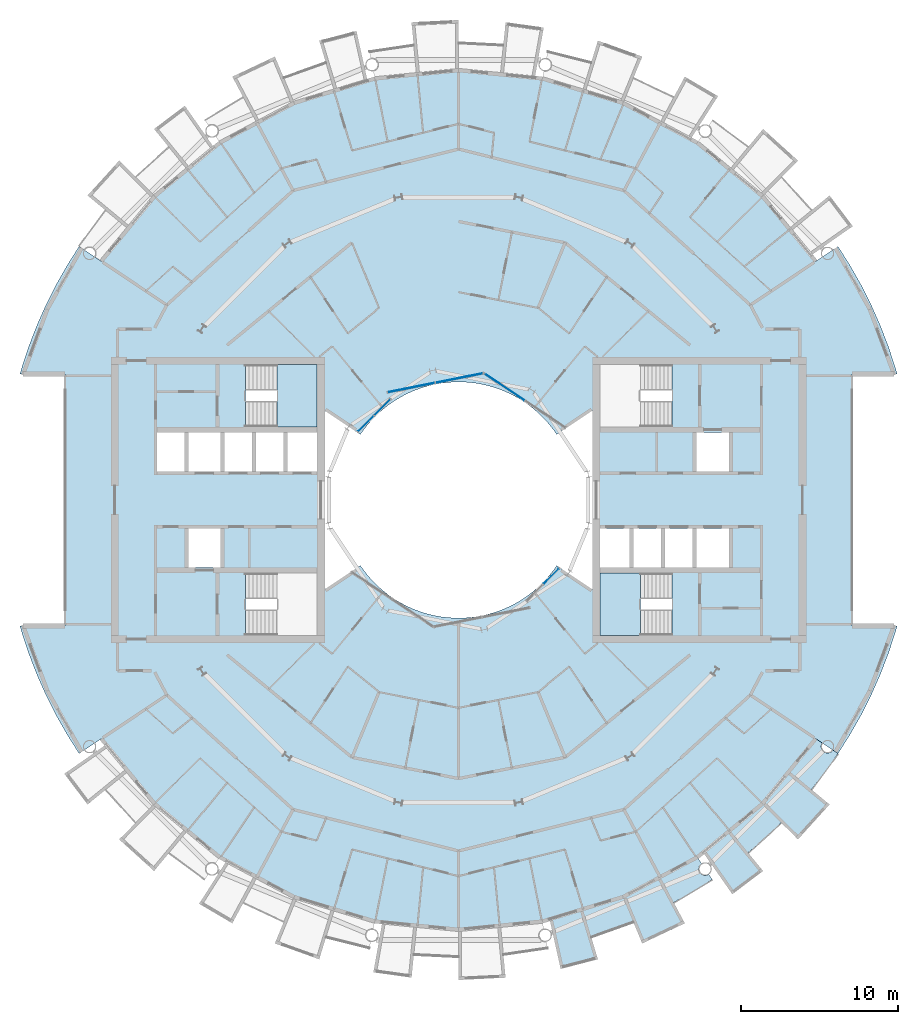
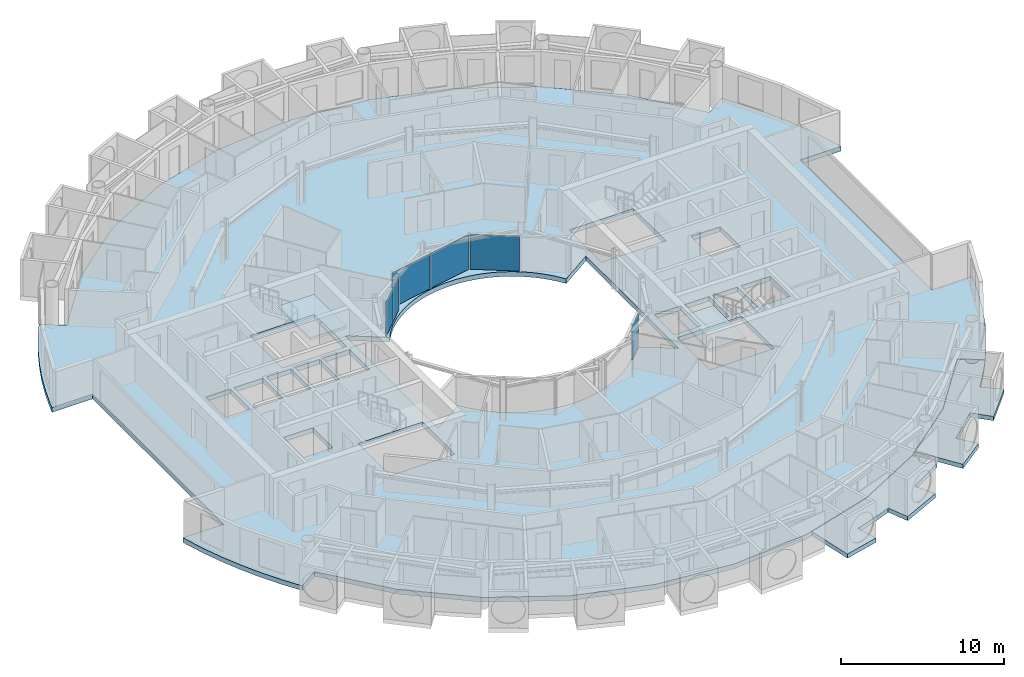
# One storey, part 11 of 27: 6 plates, 5 slabs, 6 elements without a shape of their own.
"""IFC4 building model written with IfcOpenShell, lengths in metres."""

from ifc_helpers import new_model, si_unit, direction, frame, origin, origin_2d, place, context, subcontext, project, spatial, polyline, rectangle, outline, extrude, material, layer, layer_set, type_object, element, aggregate, save


model = new_model("IFC4")

# Units and contexts
model_context = context("Model", 3, precision=1e-05, world=origin(), true_north=direction((0.0, 1.0)))
body_context = subcontext(model_context, "Body", "Model", "MODEL_VIEW")
ifc_project = project(units=[si_unit("LENGTHUNIT", "METRE"), si_unit("AREAUNIT", "SQUARE_METRE"), si_unit("VOLUMEUNIT", "CUBIC_METRE"), si_unit("PLANEANGLEUNIT", "RADIAN"), si_unit("MASSUNIT", "GRAM", prefix="KILO")], contexts=[model_context])

# Site, building, storey
site_placement = place(None, origin())
site = spatial("IfcSite", under=ifc_project, at=site_placement, CompositionType="ELEMENT")
building_placement = place(site_placement, origin())
building = spatial("IfcBuilding", under=site, at=building_placement, Name="Maasbend Ring Residences", CompositionType="ELEMENT")
storey_placement = place(building_placement, frame((0.0, 0.0, 164.64990234375)))
storey = spatial("IfcBuildingStorey", under=building, at=storey_placement, Name="L47", CompositionType="ELEMENT", Elevation=164.64990234375)

# Stair, slab
ifc_material_1 = material(Name="Concrete C40/50", Category="concrete")
stair_type = type_object("IfcStairType", Name="CORE STAIR 18 RISERS", PredefinedType="HALF_TURN_STAIR", material=ifc_material_1)
stair_1_placement = place(storey_placement, origin())
stair_1 = element("IfcStair", 1, at=stair_1_placement, inside=storey, type_object=stair_type, Name="L47 Exit stair ST-E2", PredefinedType="HALF_TURN_STAIR")
ifc_material_2 = material(Name="Concrete C40/50", Category="concrete")
ifc_layer_1 = layer(ifc_material_2, 0.199951171875)
ifc_layer_set_1 = layer_set([ifc_layer_1], Name="Concrete C40/50")
slab_type_1 = type_object("IfcSlabType", Name="CORE STAIR LANDING 200", PredefinedType="LANDING", material=ifc_layer_set_1)
slab_1_placement = place(storey_placement, frame((0.0, 0.0, 1.3251953125)))
slab_1 = element("IfcSlab", 2, at=slab_1_placement, type_object=slab_type_1, Name="ST-E2 landing 1", PredefinedType="LANDING", context=body_context, shape_type="SweptSolid", body=[
    extrude(outline(polyline([(11.550048828125, -4.64990234375), (9.0, -4.64990234375), (9.0, -8.60009765625), (11.550048828125, -8.60009765625), (11.550048828125, -4.64990234375)])), origin(), (0.0, 0.0, 1.0), 0.199951171875),
])
aggregate(stair_1, [slab_1])

stair_2_placement = place(storey_placement, origin())
stair_2 = element("IfcStair", 3, at=stair_2_placement, inside=storey, type_object=stair_type, Name="L47 Exit stair ST-W2", PredefinedType="HALF_TURN_STAIR")
slab_2_placement = place(storey_placement, frame((0.0, 0.0, 1.3251953125)))
slab_2 = element("IfcSlab", 4, at=slab_2_placement, type_object=slab_type_1, Name="ST-W2 landing 1", PredefinedType="LANDING", context=body_context, shape_type="SweptSolid", body=[
    extrude(outline(polyline([(-11.550048828125, 4.64990234375), (-9.0, 4.64990234375), (-9.0, 8.60009765625), (-11.550048828125, 8.60009765625), (-11.550048828125, 4.64990234375)])), origin(), (0.0, 0.0, 1.0), 0.199951171875),
])
aggregate(stair_2, [slab_2])

# Curtain wall, plate
ifc_material_3 = material(Name="Aluminium and clear glass", Category="aluminium")
ifc_layer_2 = layer(ifc_material_3, 0.179931640625)
ifc_layer_set_2 = layer_set([ifc_layer_2], Name="CW-W")
curtain_wall_type = type_object("IfcCurtainWallType", Name="CW-W", PredefinedType="NOTDEFINED", material=ifc_layer_set_2)
curtain_wall_1_placement = place(storey_placement, origin())
curtain_wall_1 = element("IfcCurtainWall", 5, at=curtain_wall_1_placement, inside=storey, type_object=curtain_wall_type, Name="Well curtain wall N1", PredefinedType="NOTDEFINED")
ifc_material_4 = material(Name="Glass clear laminated", Category="glass")
ifc_layer_3 = layer(ifc_material_4, 0.031982421875)
ifc_layer_set_3 = layer_set([ifc_layer_3], Name="CWP-W")
plate_type = type_object("IfcPlateType", Name="CWP-W", PredefinedType="CURTAIN_PANEL", material=ifc_layer_set_3)
plate_1_placement = place(storey_placement, frame((2.922119140625, 7.17578125, 0.0), z_axis=(0.0, 0.0, 1.0), x_axis=(-0.831469612303, 0.55557023302, 0.0)))
plate_1 = element("IfcPlate", 6, at=plate_1_placement, type_object=plate_type, Name="Glass panel well face", PredefinedType="CURTAIN_PANEL", context=body_context, shape_type="SweptSolid", body=[
    extrude(rectangle(XDim=3.053955078125, YDim=0.031982421875, at=origin_2d()), origin(), (0.0, 0.0, 1.0), 2.580078125),
])
aggregate(curtain_wall_1, [plate_1])

# Curtain wall, plates
curtain_wall_2_placement = place(storey_placement, origin())
curtain_wall_2 = element("IfcCurtainWall", 7, at=curtain_wall_2_placement, inside=storey, type_object=curtain_wall_type, Name="Well curtain wall N2", PredefinedType="NOTDEFINED")
plate_2_placement = place(storey_placement, frame((0.04638671875, 7.747802734375, 0.0), z_axis=(0.0, 0.0, 1.0), x_axis=(-0.980785280403, -0.195090322016, 0.0)))
plate_2 = element("IfcPlate", 8, at=plate_2_placement, type_object=plate_type, Name="Glass panel well face", PredefinedType="CURTAIN_PANEL", context=body_context, shape_type="SweptSolid", body=[
    extrude(rectangle(XDim=3.053955078125, YDim=0.031982421875, at=origin_2d()), origin(), (0.0, 0.0, 1.0), 2.580078125),
])
plate_3_placement = place(storey_placement, frame((-3.0078125, 7.140380859375, 0.0), z_axis=(0.0, 0.0, 1.0), x_axis=(-0.980785280403, -0.195090322016, 0.0)))
plate_3 = element("IfcPlate", 9, at=plate_3_placement, type_object=plate_type, Name="Glass panel well face", PredefinedType="CURTAIN_PANEL", context=body_context, shape_type="SweptSolid", body=[
    extrude(rectangle(XDim=3.053955078125, YDim=0.031982421875, at=origin_2d()), origin(), (0.0, 0.0, 1.0), 2.580078125),
])
aggregate(curtain_wall_2, [plate_2, plate_3])

curtain_wall_3_placement = place(storey_placement, origin())
curtain_wall_3 = element("IfcCurtainWall", 10, at=curtain_wall_3_placement, inside=storey, type_object=curtain_wall_type, Name="Well curtain wall N3", PredefinedType="NOTDEFINED")
plate_4_placement = place(storey_placement, frame((-4.84375, 5.89013671875, 0.0), z_axis=(0.0, 0.0, 1.0), x_axis=(-0.707106781187, -0.707106781187, 0.0)))
plate_4 = element("IfcPlate", 11, at=plate_4_placement, type_object=plate_type, Name="Glass panel well face", PredefinedType="CURTAIN_PANEL", context=body_context, shape_type="SweptSolid", body=[
    extrude(rectangle(XDim=1.419677734375, YDim=0.031982421875, at=origin_2d()), origin(), (0.0, 0.0, 1.0), 2.580078125),
])
plate_5_placement = place(storey_placement, frame((-5.89013671875, 4.84375, 0.0), z_axis=(0.0, 0.0, 1.0), x_axis=(-0.707106781187, -0.707106781187, 0.0)))
plate_5 = element("IfcPlate", 12, at=plate_5_placement, type_object=plate_type, Name="Glass panel well face", PredefinedType="CURTAIN_PANEL", context=body_context, shape_type="SweptSolid", body=[
    extrude(rectangle(XDim=1.419677734375, YDim=0.031982421875, at=origin_2d()), origin(), (0.0, 0.0, 1.0), 2.580078125),
])
aggregate(curtain_wall_3, [plate_4, plate_5])

# Curtain wall, plate
curtain_wall_4_placement = place(storey_placement, origin())
curtain_wall_4 = element("IfcCurtainWall", 13, at=curtain_wall_4_placement, inside=storey, type_object=curtain_wall_type, Name="Well curtain wall S3", PredefinedType="NOTDEFINED")
plate_6_placement = place(storey_placement, frame((5.89013671875, -4.84375, 0.0), z_axis=(0.0, 0.0, 1.0), x_axis=(0.707106781187, 0.707106781187, 0.0)))
plate_6 = element("IfcPlate", 14, at=plate_6_placement, type_object=plate_type, Name="Glass panel well face", PredefinedType="CURTAIN_PANEL", context=body_context, shape_type="SweptSolid", body=[
    extrude(rectangle(XDim=1.419677734375, YDim=0.031982421875, at=origin_2d()), origin(), (0.0, 0.0, 1.0), 2.580078125),
])
aggregate(curtain_wall_4, [plate_6])

# Slabs
ifc_material_5 = material(Name="Concrete C40/50", Category="concrete")
ifc_layer_4 = layer(ifc_material_5, 0.35009765625)
ifc_layer_set_4 = layer_set([ifc_layer_4], Name="Concrete C40/50")
slab_type_2 = type_object("IfcSlabType", Name="Post-tensioned flat plate 350", PredefinedType="FLOOR", material=ifc_layer_set_4)
slab_3_placement = place(storey_placement, frame((0.0, 0.0, -0.349853515625)))
element("IfcSlab", 15, at=slab_3_placement, inside=storey, type_object=slab_type_2, Name="Floor slab L47", PredefinedType="FLOOR", context=body_context, shape_type="SweptSolid", body=[
    extrude(outline(polyline([(24.8740234375, -14.908935546875), (25.57568359375, -13.67041015625), (26.2158203125, -12.399169921875), (26.79248046875, -11.097900390625), (27.3046875, -9.769775390625), (27.751220703125, -8.418212890625), (27.866943359375, -8.0), (25.0, -8.0), (25.0, 8.0), (27.866943359375, 8.0), (27.751220703125, 8.418212890625), (27.3046875, 9.769775390625), (26.79248046875, 11.097900390625), (26.2158203125, 12.399169921875), (25.57568359375, 13.67041015625), (24.8740234375, 14.908935546875), (24.112548828125, 16.111572265625), (22.69921875, 15.1669921875), (19.303955078125, 19.303955078125), (15.1669921875, 22.69921875), (10.447265625, 25.221923828125), (5.325927734375, 26.775390625), (0.0, 27.300048828125), (-5.325927734375, 26.775390625), (-10.447265625, 25.221923828125), (-15.1669921875, 22.69921875), (-19.303955078125, 19.303955078125), (-22.69921875, 15.1669921875), (-24.112548828125, 16.111572265625), (-24.8740234375, 14.908935546875), (-25.57568359375, 13.67041015625), (-26.2158203125, 12.399169921875), (-26.79248046875, 11.097900390625), (-27.3046875, 9.769775390625), (-27.751220703125, 8.418212890625), (-27.866943359375, 8.0), (-25.0, 8.0), (-25.0, -8.0), (-27.866943359375, -8.0), (-27.751220703125, -8.418212890625), (-27.3046875, -9.769775390625), (-26.79248046875, -11.097900390625), (-26.2158203125, -12.399169921875), (-25.57568359375, -13.67041015625), (-24.8740234375, -14.908935546875), (-24.112548828125, -16.111572265625), (-22.69921875, -15.1669921875), (-19.303955078125, -19.303955078125), (-15.1669921875, -22.69921875), (-10.447265625, -25.221923828125), (-5.325927734375, -26.775390625), (0.0, -27.300048828125), (5.325927734375, -26.775390625), (10.447265625, -25.221923828125), (15.1669921875, -22.69921875), (19.303955078125, -19.303955078125), (22.69921875, -15.1669921875), (24.112548828125, -16.111572265625), (24.8740234375, -14.908935546875)]), holes=[polyline([(15.125, 1.824951171875), (15.125, 4.27490234375), (17.175048828125, 4.27490234375), (17.175048828125, 1.824951171875), (15.125, 1.824951171875)]), polyline([(15.125, -4.27490234375), (15.125, -1.824951171875), (17.175048828125, -1.824951171875), (17.175048828125, -4.27490234375), (15.125, -4.27490234375)]), polyline([(13.125, -4.27490234375), (13.125, -1.824951171875), (14.875, -1.824951171875), (14.875, -4.27490234375), (13.125, -4.27490234375)]), polyline([(13.550048828125, 8.60009765625), (13.550048828125, 4.64990234375), (9.0, 4.64990234375), (9.0, 8.60009765625), (13.550048828125, 8.60009765625)]), polyline([(13.550048828125, -4.64990234375), (13.550048828125, -8.60009765625), (9.0, -8.60009765625), (9.0, -4.64990234375), (13.550048828125, -4.64990234375)]), polyline([(11.125, -4.27490234375), (11.125, -1.824951171875), (12.875, -1.824951171875), (12.875, -4.27490234375), (11.125, -4.27490234375)]), polyline([(9.0, -4.27490234375), (9.0, -1.824951171875), (10.875, -1.824951171875), (10.875, -4.27490234375), (9.0, -4.27490234375)]), polyline([(6.024169921875, 4.4677734375), (6.236083984375, 4.166748046875), (8.5, 5.679443359375), (8.5, -5.679443359375), (6.236083984375, -4.166748046875), (6.024169921875, -4.4677734375), (5.797607421875, -4.7578125), (5.55712890625, -5.03662109375), (5.30322265625, -5.30322265625), (5.03662109375, -5.55712890625), (4.7578125, -5.797607421875), (4.4677734375, -6.024169921875), (4.166748046875, -6.236083984375), (3.855712890625, -6.43310546875), (3.535400390625, -6.614501953125), (3.206787109375, -6.77978515625), (2.8701171875, -6.92919921875), (2.526611328125, -7.0615234375), (2.177001953125, -7.177001953125), (1.822509765625, -7.275146484375), (1.463134765625, -7.35595703125), (1.1005859375, -7.418701171875), (0.735107421875, -7.4638671875), (0.367919921875, -7.490966796875), (0.0, -7.5), (-0.367919921875, -7.490966796875), (-0.735107421875, -7.4638671875), (-1.1005859375, -7.418701171875), (-1.463134765625, -7.35595703125), (-1.822509765625, -7.275146484375), (-2.177001953125, -7.177001953125), (-2.526611328125, -7.0615234375), (-2.8701171875, -6.92919921875), (-3.206787109375, -6.77978515625), (-3.535400390625, -6.614501953125), (-3.855712890625, -6.43310546875), (-4.166748046875, -6.236083984375), (-4.4677734375, -6.024169921875), (-4.7578125, -5.797607421875), (-5.03662109375, -5.55712890625), (-5.30322265625, -5.30322265625), (-5.55712890625, -5.03662109375), (-5.797607421875, -4.7578125), (-6.024169921875, -4.4677734375), (-6.236083984375, -4.166748046875), (-8.5, -5.679443359375), (-8.5, 5.679443359375), (-6.236083984375, 4.166748046875), (-6.024169921875, 4.4677734375), (-5.797607421875, 4.7578125), (-5.55712890625, 5.03662109375), (-5.30322265625, 5.30322265625), (-5.03662109375, 5.55712890625), (-4.7578125, 5.797607421875), (-4.4677734375, 6.024169921875), (-4.166748046875, 6.236083984375), (-3.855712890625, 6.43310546875), (-3.535400390625, 6.614501953125), (-3.206787109375, 6.77978515625), (-2.8701171875, 6.92919921875), (-2.526611328125, 7.0615234375), (-2.177001953125, 7.177001953125), (-1.822509765625, 7.275146484375), (-1.463134765625, 7.35595703125), (-1.1005859375, 7.418701171875), (-0.735107421875, 7.4638671875), (-0.367919921875, 7.490966796875), (0.0, 7.5), (0.367919921875, 7.490966796875), (0.735107421875, 7.4638671875), (1.1005859375, 7.418701171875), (1.463134765625, 7.35595703125), (1.822509765625, 7.275146484375), (2.177001953125, 7.177001953125), (2.526611328125, 7.0615234375), (2.8701171875, 6.92919921875), (3.206787109375, 6.77978515625), (3.535400390625, 6.614501953125), (3.855712890625, 6.43310546875), (4.166748046875, 6.236083984375), (4.4677734375, 6.024169921875), (4.7578125, 5.797607421875), (5.03662109375, 5.55712890625), (5.30322265625, 5.30322265625), (5.55712890625, 5.03662109375), (5.797607421875, 4.7578125), (6.024169921875, 4.4677734375)]), polyline([(-13.550048828125, 4.64990234375), (-13.550048828125, 8.60009765625), (-9.0, 8.60009765625), (-9.0, 4.64990234375), (-13.550048828125, 4.64990234375)]), polyline([(-9.0, -8.60009765625), (-13.550048828125, -8.60009765625), (-13.550048828125, -4.64990234375), (-9.0, -4.64990234375), (-9.0, -8.60009765625)]), polyline([(-9.0, 4.27490234375), (-9.0, 1.824951171875), (-10.875, 1.824951171875), (-10.875, 4.27490234375), (-9.0, 4.27490234375)]), polyline([(-11.125, 4.27490234375), (-11.125, 1.824951171875), (-12.875, 1.824951171875), (-12.875, 4.27490234375), (-11.125, 4.27490234375)]), polyline([(-13.125, 4.27490234375), (-13.125, 1.824951171875), (-14.875, 1.824951171875), (-14.875, 4.27490234375), (-13.125, 4.27490234375)]), polyline([(-15.125, 4.27490234375), (-15.125, 1.824951171875), (-17.175048828125, 1.824951171875), (-17.175048828125, 4.27490234375), (-15.125, 4.27490234375)]), polyline([(-15.125, -1.824951171875), (-15.125, -4.27490234375), (-17.175048828125, -4.27490234375), (-17.175048828125, -1.824951171875), (-15.125, -1.824951171875)]), polyline([(-17.425048828125, 4.27490234375), (-17.425048828125, 1.824951171875), (-19.14990234375, 1.824951171875), (-19.14990234375, 4.27490234375), (-17.425048828125, 4.27490234375)])]), origin(), (0.0, 0.0, 1.0), 0.349853515625),
])
ifc_material_6 = material(Name="Concrete C40/50", Category="concrete")
ifc_layer_5 = layer(ifc_material_6, 0.199951171875)
ifc_layer_set_5 = layer_set([ifc_layer_5], Name="Concrete C40/50")
slab_type_3 = type_object("IfcSlabType", Name="SL-LOGGIA", PredefinedType="FLOOR", material=ifc_layer_set_5)
slab_4_placement = place(storey_placement, frame((0.0, 0.0, -0.349853515625)))
element("IfcSlab", 16, at=slab_4_placement, inside=storey, type_object=slab_type_3, Name="Loggia floor 1", PredefinedType="FLOOR", context=body_context, shape_type="SweptSolid", body=[
    extrude(outline(polyline([(10.447021484375, -25.221923828125), (12.806884765625, -23.9609375), (15.1669921875, -22.698974609375), (15.1669921875, -22.698974609375), (15.1669921875, -22.698974609375), (15.44091796875, -23.10888671875), (15.43310546875, -23.114990234375), (15.425048828125, -23.12109375), (15.4169921875, -23.126953125), (15.408935546875, -23.133056640625), (15.402099609375, -23.139892578125), (15.39404296875, -23.14599609375), (15.386962890625, -23.153076171875), (15.3798828125, -23.159912109375), (15.373046875, -23.1669921875), (15.365966796875, -23.174072265625), (15.35888671875, -23.181884765625), (15.35302734375, -23.18994140625), (15.346923828125, -23.197021484375), (15.341064453125, -23.205078125), (15.3349609375, -23.212890625), (15.3291015625, -23.221923828125), (15.323974609375, -23.22998046875), (15.318115234375, -23.238037109375), (15.31298828125, -23.2470703125), (15.30908203125, -23.256103515625), (15.303955078125, -23.264892578125), (15.300048828125, -23.27392578125), (15.294921875, -23.282958984375), (15.2919921875, -23.2919921875), (15.2880859375, -23.301025390625), (15.283935546875, -23.31005859375), (15.281005859375, -23.320068359375), (15.278076171875, -23.3291015625), (15.27490234375, -23.339111328125), (15.27294921875, -23.34912109375), (15.27001953125, -23.35791015625), (15.26806640625, -23.367919921875), (15.26708984375, -23.3779296875), (15.264892578125, -23.387939453125), (15.263916015625, -23.39794921875), (15.262939453125, -23.407958984375), (15.261962890625, -23.4169921875), (15.260986328125, -23.427001953125), (15.260986328125, -23.43701171875), (15.260986328125, -23.447021484375), (15.260986328125, -23.45703125), (15.260986328125, -23.467041015625), (15.261962890625, -23.47705078125), (15.262939453125, -23.487060546875), (15.263916015625, -23.4970703125), (15.264892578125, -23.507080078125), (15.26708984375, -23.51708984375), (15.26806640625, -23.527099609375), (15.27001953125, -23.535888671875), (15.27294921875, -23.5458984375), (15.27490234375, -23.555908203125), (15.278076171875, -23.56494140625), (15.281005859375, -23.574951171875), (15.283935546875, -23.583984375), (15.2880859375, -23.593994140625), (15.2919921875, -23.60302734375), (15.294921875, -23.612060546875), (15.300048828125, -23.62109375), (15.303955078125, -23.6298828125), (15.30908203125, -23.638916015625), (15.31298828125, -23.64794921875), (15.318115234375, -23.656005859375), (15.323974609375, -23.6650390625), (15.3291015625, -23.673095703125), (15.3349609375, -23.680908203125), (15.341064453125, -23.68994140625), (15.346923828125, -23.697021484375), (15.35302734375, -23.705078125), (15.35888671875, -23.712890625), (15.365966796875, -23.719970703125), (15.373046875, -23.72802734375), (15.3798828125, -23.735107421875), (15.386962890625, -23.741943359375), (15.39404296875, -23.7490234375), (15.402099609375, -23.7548828125), (15.408935546875, -23.761962890625), (15.4169921875, -23.76806640625), (15.425048828125, -23.77392578125), (15.43310546875, -23.780029296875), (15.44091796875, -23.784912109375), (15.449951171875, -23.791015625), (15.4580078125, -23.7958984375), (15.467041015625, -23.801025390625), (15.47509765625, -23.805908203125), (15.48388671875, -23.81005859375), (15.492919921875, -23.81494140625), (15.501953125, -23.819091796875), (15.511962890625, -23.822998046875), (15.52099609375, -23.826904296875), (15.530029296875, -23.830078125), (15.5400390625, -23.8330078125), (15.549072265625, -23.8359375), (15.55908203125, -23.839111328125), (15.568115234375, -23.842041015625), (15.577880859375, -23.843994140625), (15.587890625, -23.845947265625), (15.597900390625, -23.847900390625), (15.60693359375, -23.85009765625), (15.616943359375, -23.85107421875), (15.626953125, -23.85205078125), (15.636962890625, -23.85302734375), (15.64697265625, -23.85302734375), (15.656982421875, -23.85400390625), (15.6669921875, -23.85400390625), (15.677001953125, -23.85400390625), (15.68701171875, -23.85302734375), (15.697021484375, -23.85302734375), (15.70703125, -23.85205078125), (15.717041015625, -23.85107421875), (15.72705078125, -23.85009765625), (15.737060546875, -23.847900390625), (15.74609375, -23.845947265625), (15.756103515625, -23.843994140625), (15.76611328125, -23.842041015625), (15.77587890625, -23.839111328125), (15.784912109375, -23.8359375), (15.794921875, -23.8330078125), (15.803955078125, -23.830078125), (15.81298828125, -23.826904296875), (15.822998046875, -23.822998046875), (15.83203125, -23.819091796875), (15.841064453125, -23.81494140625), (15.85009765625, -23.81005859375), (15.85888671875, -23.805908203125), (15.866943359375, -23.801025390625), (15.8759765625, -23.7958984375), (15.885009765625, -23.791015625), (15.89306640625, -23.784912109375), (16.112060546875, -24.113037109375), (16.112060546875, -24.113037109375), (16.112060546875, -24.113037109375), (15.31396484375, -24.626953125), (15.31396484375, -24.626953125), (14.5, -25.114990234375), (14.5, -25.114990234375), (13.6708984375, -25.574951171875), (13.6708984375, -25.575927734375), (13.6708984375, -25.575927734375), (13.6708984375, -25.575927734375), (13.6708984375, -25.575927734375), (13.6708984375, -25.575927734375), (13.6708984375, -25.575927734375), (13.6708984375, -25.575927734375), (13.6708984375, -25.575927734375), (13.6708984375, -25.575927734375), (13.6708984375, -25.575927734375), (13.6708984375, -25.575927734375), (13.6708984375, -25.575927734375), (13.6708984375, -25.575927734375), (13.6708984375, -25.575927734375), (13.6708984375, -25.575927734375), (13.6708984375, -25.575927734375), (14.3779296875, -26.89892578125), (14.3779296875, -26.89892578125), (14.3779296875, -26.89892578125), (11.672119140625, -28.177978515625), (11.672119140625, -28.177978515625), (11.672119140625, -28.177978515625), (11.097900390625, -26.79296875), (11.097900390625, -26.79296875), (11.097900390625, -26.79296875), (11.097900390625, -26.79296875), (11.097900390625, -26.79296875), (11.097900390625, -26.79296875), (11.097900390625, -26.79296875), (11.097900390625, -26.79296875), (11.097900390625, -26.79296875), (11.097900390625, -26.79296875), (11.097900390625, -26.79296875), (11.097900390625, -26.79296875), (11.097900390625, -26.79296875), (11.097900390625, -26.79296875), (11.096923828125, -26.79296875), (11.096923828125, -26.79296875), (11.096923828125, -26.79296875), (10.215087890625, -27.14111328125), (10.215087890625, -27.14111328125), (9.322021484375, -27.4609375), (9.322021484375, -27.4609375), (8.4189453125, -27.7509765625), (8.4189453125, -27.7509765625), (8.4189453125, -27.7509765625), (8.4189453125, -27.7509765625), (8.4189453125, -27.7509765625), (8.4189453125, -27.7509765625), (8.41796875, -27.7509765625), (8.41796875, -27.7509765625), (8.41796875, -27.7509765625), (8.41796875, -27.7509765625), (8.41796875, -27.7509765625), (8.41796875, -27.751953125), (8.41796875, -27.751953125), (8.41796875, -27.751953125), (8.41796875, -27.751953125), (8.41796875, -27.751953125), (8.41796875, -27.751953125), (8.85400390625, -29.18701171875), (8.85400390625, -29.18701171875), (8.85400390625, -29.18701171875), (6.487060546875, -29.802001953125), (6.487060546875, -29.802001953125), (6.487060546875, -29.802001953125), (5.797119140625, -26.633056640625), (5.797119140625, -26.633056640625), (5.797119140625, -26.633056640625), (7.886962890625, -25.9990234375), (10.447021484375, -25.221923828125), (10.447021484375, -25.221923828125), (10.447021484375, -25.221923828125)])), origin(), (0.0, 0.0, 1.0), 0.320068359375),
])
slab_5_placement = place(storey_placement, frame((0.0, 0.0, -0.349853515625)))
element("IfcSlab", 17, at=slab_5_placement, inside=storey, type_object=slab_type_3, Name="Loggia floor 4", PredefinedType="FLOOR", context=body_context, shape_type="SweptSolid", body=[
    extrude(outline(polyline([(19.303955078125, -19.303955078125), (21.001953125, -17.236083984375), (22.698974609375, -15.1669921875), (22.698974609375, -15.1669921875), (22.698974609375, -15.1669921875), (23.10888671875, -15.44091796875), (23.10888671875, -15.44091796875), (23.10400390625, -15.449951171875), (23.09912109375, -15.4580078125), (23.093994140625, -15.467041015625), (23.089111328125, -15.47509765625), (23.083984375, -15.48388671875), (23.080078125, -15.492919921875), (23.075927734375, -15.501953125), (23.072021484375, -15.511962890625), (23.068115234375, -15.52099609375), (23.06494140625, -15.530029296875), (23.06103515625, -15.5400390625), (23.05810546875, -15.549072265625), (23.055908203125, -15.55908203125), (23.052978515625, -15.568115234375), (23.051025390625, -15.577880859375), (23.049072265625, -15.587890625), (23.047119140625, -15.597900390625), (23.044921875, -15.60693359375), (23.0439453125, -15.616943359375), (23.04296875, -15.626953125), (23.0419921875, -15.636962890625), (23.041015625, -15.64697265625), (23.041015625, -15.656982421875), (23.041015625, -15.6669921875), (23.041015625, -15.677001953125), (23.041015625, -15.68701171875), (23.0419921875, -15.697021484375), (23.04296875, -15.70703125), (23.0439453125, -15.717041015625), (23.044921875, -15.72705078125), (23.047119140625, -15.737060546875), (23.049072265625, -15.74609375), (23.051025390625, -15.756103515625), (23.052978515625, -15.76611328125), (23.055908203125, -15.77587890625), (23.05810546875, -15.784912109375), (23.06103515625, -15.794921875), (23.06494140625, -15.803955078125), (23.068115234375, -15.81298828125), (23.072021484375, -15.822998046875), (23.075927734375, -15.83203125), (23.080078125, -15.841064453125), (23.083984375, -15.85009765625), (23.089111328125, -15.85888671875), (23.093994140625, -15.866943359375), (23.09912109375, -15.8759765625), (23.10400390625, -15.885009765625), (23.10888671875, -15.89306640625), (23.114990234375, -15.90087890625), (23.12109375, -15.908935546875), (23.126953125, -15.9169921875), (23.133056640625, -15.925048828125), (23.139892578125, -15.93310546875), (23.14599609375, -15.93994140625), (23.153076171875, -15.947021484375), (23.159912109375, -15.955078125), (23.1669921875, -15.9619140625), (23.174072265625, -15.968017578125), (23.181884765625, -15.97509765625), (23.18994140625, -15.98095703125), (23.197021484375, -15.988037109375), (23.205078125, -15.993896484375), (23.212890625, -15.9990234375), (23.221923828125, -16.0048828125), (23.22998046875, -16.010986328125), (23.238037109375, -16.01611328125), (23.2470703125, -16.02099609375), (23.256103515625, -16.02587890625), (23.264892578125, -16.030029296875), (23.27392578125, -16.034912109375), (23.282958984375, -16.0390625), (23.2919921875, -16.04296875), (23.301025390625, -16.0458984375), (23.31005859375, -16.050048828125), (23.320068359375, -16.052978515625), (23.3291015625, -16.055908203125), (23.339111328125, -16.05908203125), (23.34912109375, -16.06103515625), (23.35791015625, -16.06396484375), (23.367919921875, -16.06591796875), (23.3779296875, -16.068115234375), (23.387939453125, -16.069091796875), (23.39794921875, -16.071044921875), (23.407958984375, -16.072021484375), (23.4169921875, -16.072021484375), (23.427001953125, -16.072998046875), (23.43701171875, -16.072998046875), (23.447021484375, -16.073974609375), (23.45703125, -16.072998046875), (23.467041015625, -16.072998046875), (23.47705078125, -16.072021484375), (23.487060546875, -16.072021484375), (23.4970703125, -16.071044921875), (23.507080078125, -16.069091796875), (23.51708984375, -16.068115234375), (23.527099609375, -16.06591796875), (23.535888671875, -16.06396484375), (23.5458984375, -16.06103515625), (23.555908203125, -16.05908203125), (23.56494140625, -16.055908203125), (23.574951171875, -16.052978515625), (23.583984375, -16.050048828125), (23.593994140625, -16.0458984375), (23.60302734375, -16.04296875), (23.612060546875, -16.0390625), (23.62109375, -16.034912109375), (23.6298828125, -16.030029296875), (23.638916015625, -16.02587890625), (23.64794921875, -16.02099609375), (23.656005859375, -16.01611328125), (23.6650390625, -16.010986328125), (23.673095703125, -16.0048828125), (23.680908203125, -15.9990234375), (23.68994140625, -15.993896484375), (23.697021484375, -15.988037109375), (23.705078125, -15.98095703125), (23.712890625, -15.97509765625), (23.719970703125, -15.968017578125), (23.72802734375, -15.9619140625), (23.735107421875, -15.955078125), (23.741943359375, -15.947021484375), (23.7490234375, -15.93994140625), (23.7548828125, -15.93310546875), (23.761962890625, -15.925048828125), (23.76806640625, -15.9169921875), (23.77392578125, -15.908935546875), (23.780029296875, -15.90087890625), (23.784912109375, -15.89306640625), (23.784912109375, -15.89306640625), (24.113037109375, -16.112060546875), (24.113037109375, -16.112060546875), (24.113037109375, -16.112060546875), (23.572998046875, -16.89208984375), (23.572998046875, -16.89208984375), (23.007080078125, -17.654052734375), (23.007080078125, -17.654052734375), (22.41796875, -18.39697265625), (22.41796875, -18.39697265625), (22.41796875, -18.39697265625), (22.41796875, -18.39697265625), (22.41796875, -18.39697265625), (22.41796875, -18.39697265625), (22.41796875, -18.39697265625), (22.41796875, -18.39697265625), (22.41796875, -18.39697265625), (22.41796875, -18.39697265625), (22.41796875, -18.39697265625), (22.41796875, -18.39794921875), (22.41796875, -18.39794921875), (22.41796875, -18.39794921875), (22.41796875, -18.39794921875), (22.41796875, -18.39794921875), (22.41796875, -18.39794921875), (23.576904296875, -19.34912109375), (23.576904296875, -19.34912109375), (23.576904296875, -19.34912109375), (21.56689453125, -21.56689453125), (21.56689453125, -21.56689453125), (21.56689453125, -21.56689453125), (20.506103515625, -20.506103515625), (20.506103515625, -20.506103515625), (20.506103515625, -20.506103515625), (20.506103515625, -20.506103515625), (20.506103515625, -20.506103515625), (20.506103515625, -20.506103515625), (20.506103515625, -20.506103515625), (20.506103515625, -20.506103515625), (20.506103515625, -20.506103515625), (20.506103515625, -20.506103515625), (20.506103515625, -20.506103515625), (20.506103515625, -20.506103515625), (20.506103515625, -20.506103515625), (20.506103515625, -20.506103515625), (20.506103515625, -20.506103515625), (20.506103515625, -20.506103515625), (20.506103515625, -20.506103515625), (19.823974609375, -21.166015625), (19.823974609375, -21.166015625), (19.12109375, -21.802978515625), (19.12109375, -21.802978515625), (18.39794921875, -22.4169921875), (18.39794921875, -22.4169921875), (18.39794921875, -22.4169921875), (18.39794921875, -22.4169921875), (18.39794921875, -22.4169921875), (18.39794921875, -22.4169921875), (18.39794921875, -22.4169921875), (18.39794921875, -22.4169921875), (18.39794921875, -22.4169921875), (18.39794921875, -22.4169921875), (18.39794921875, -22.4169921875), (18.39794921875, -22.4169921875), (18.39794921875, -22.41796875), (18.39794921875, -22.41796875), (18.39794921875, -22.41796875), (18.39794921875, -22.41796875), (18.39794921875, -22.41796875), (19.34912109375, -23.576904296875), (19.34912109375, -23.576904296875), (19.34912109375, -23.576904296875), (17.39794921875, -25.051025390625), (17.39794921875, -25.051025390625), (17.39794921875, -25.051025390625), (15.547119140625, -22.386962890625), (15.547119140625, -22.386962890625), (15.547119140625, -22.386962890625), (17.236083984375, -21.001953125), (19.303955078125, -19.303955078125), (19.303955078125, -19.303955078125), (19.303955078125, -19.303955078125)])), origin(), (0.0, 0.0, 1.0), 0.320068359375),
])

save(model, "model.ifc")
